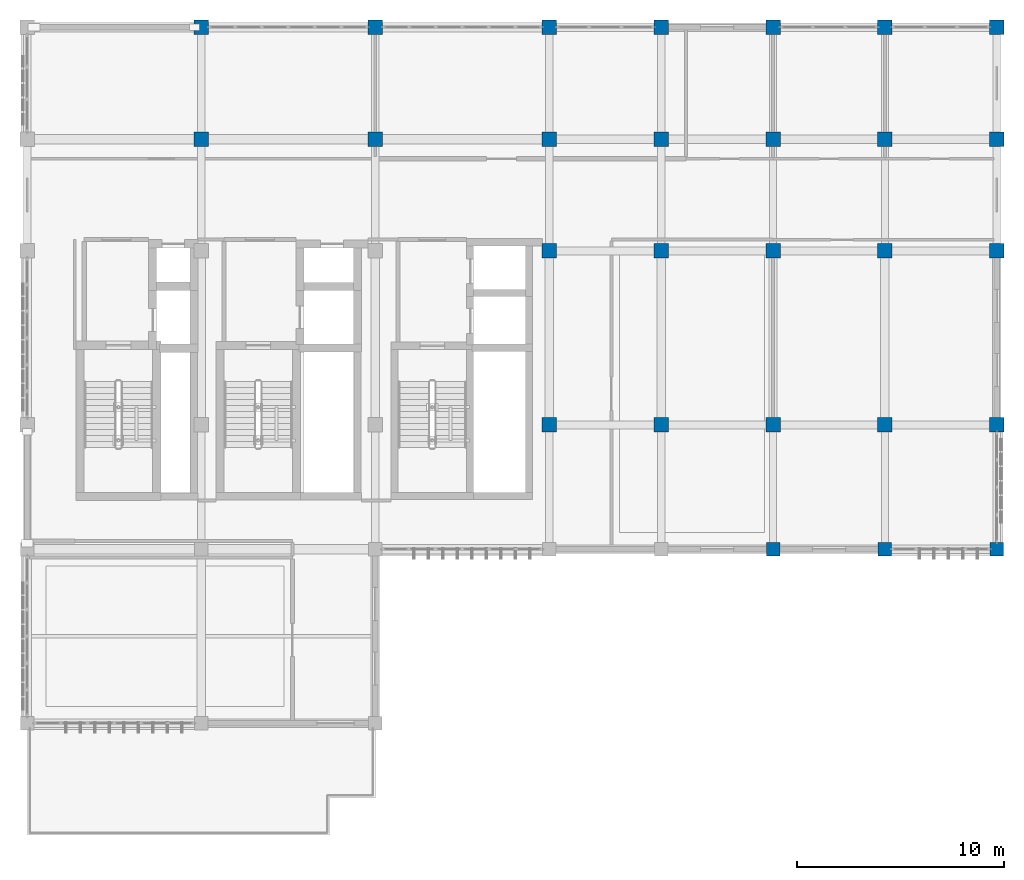
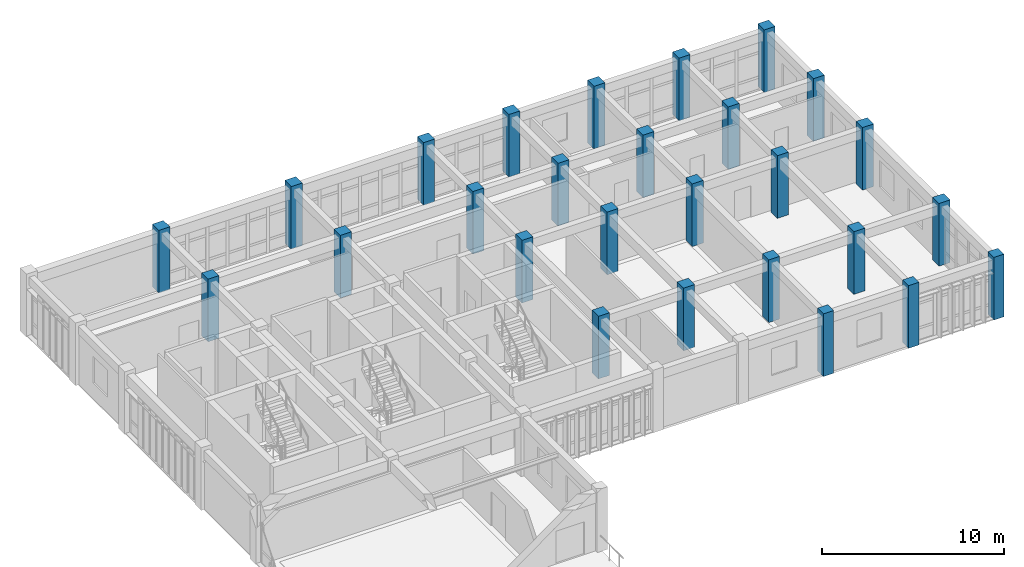
# One storey, part 3 of 23: 27 columns.
"""IFC4 building model written with IfcOpenShell, lengths in metres."""

from ifc_helpers import new_model, si_unit, direction, frame, origin, origin_2d, place, context, subcontext, project, spatial, rectangle, extrude, material, material_profile, profile_set, type_object, element, save


model = new_model("IFC4")

# Units and contexts
model_context = context("Model", 3, precision=1e-05, world=origin(), true_north=direction((0.0, 1.0)))
body_context = subcontext(model_context, "Body", "Model", "MODEL_VIEW")
ifc_project = project(units=[si_unit("LENGTHUNIT", "METRE"), si_unit("AREAUNIT", "SQUARE_METRE"), si_unit("VOLUMEUNIT", "CUBIC_METRE"), si_unit("PLANEANGLEUNIT", "RADIAN"), si_unit("MASSUNIT", "GRAM", prefix="KILO")], contexts=[model_context])

# Site, building, storey
site_placement = place(None, origin())
site = spatial("IfcSite", under=ifc_project, at=site_placement, CompositionType="ELEMENT")
building_placement = place(site_placement, origin())
building = spatial("IfcBuilding", under=site, at=building_placement, Name="Krzemoval Escarpment Law Courts", CompositionType="ELEMENT")
storey_placement = place(building_placement, frame((0.0, 0.0, 25.199951171875)))
storey = spatial("IfcBuildingStorey", under=building, at=storey_placement, Name="L05", CompositionType="ELEMENT", Elevation=25.199951171875)

# Columns
ifc_material_1 = material(Name="Concrete C40/50", Category="concrete")
ifc_material_profile_1 = material_profile(ifc_material_1, rectangle(XDim=0.64990234375, YDim=0.64990234375, at=origin_2d()), Name="RC 650x650")
ifc_profile_set_1 = profile_set([ifc_material_profile_1], Name="Concrete C40/50")
column_type_1 = type_object("IfcColumnType", Name="COL-RC-650", PredefinedType="COLUMN", material=ifc_profile_set_1)
for number, where, z_axis, x_axis, name in (
    (1, (162.0, 93.60009765625, 0.0), (0.0, 0.0, 1.0), (1.0, 0.0, 0.0), "Column FC-L05-1276"),
    (2, (167.39990234375, 93.60009765625, 0.0), (0.0, 0.0, 1.0), (1.0, 0.0, 0.0), "Column FC-L05-1281"),
    (3, (172.800048828125, 93.60009765625, 0.0), (0.0, 0.0, 1.0), (1.0, 0.0, 0.0), "Column FC-L05-1286"),
):
    element("IfcColumn", number, at=place(storey_placement, frame(where, z_axis=z_axis, x_axis=x_axis)), inside=storey, type_object=column_type_1, Name=name, PredefinedType="COLUMN", context=body_context, shape_type="SweptSolid", body=[
        extrude(rectangle(XDim=0.64990234375, YDim=0.64990234375, at=origin_2d()), origin(), (0.0, 0.0, 1.0), 4.199951171875),
    ])
ifc_material_2 = material(Name="Concrete C40/50", Category="concrete")
ifc_material_profile_2 = material_profile(ifc_material_2, rectangle(XDim=0.699951171875, YDim=0.699951171875, at=origin_2d()), Name="RC 700x700")
ifc_profile_set_2 = profile_set([ifc_material_profile_2], Name="Concrete C40/50")
column_type_2 = type_object("IfcColumnType", Name="COL-RC-700", PredefinedType="COLUMN", material=ifc_profile_set_2)
for number, where, z_axis, x_axis, name in (
    (4, (134.39990234375, 113.39990234375, 0.0), (0.0, 0.0, 1.0), (1.0, 0.0, 0.0), "Column FC-L05-1258"),
    (5, (134.39990234375, 118.800048828125, 0.0), (0.0, 0.0, 1.0), (1.0, 0.0, 0.0), "Column FC-L05-1259"),
    (6, (142.800048828125, 113.39990234375, 0.0), (0.0, 0.0, 1.0), (1.0, 0.0, 0.0), "Column FC-L05-1264"),
    (7, (142.800048828125, 118.800048828125, 0.0), (0.0, 0.0, 1.0), (1.0, 0.0, 0.0), "Column FC-L05-1265"),
    (8, (151.199951171875, 99.60009765625, 0.0), (0.0, 0.0, 1.0), (1.0, 0.0, 0.0), "Column FC-L05-1267"),
    (9, (151.199951171875, 108.0, 0.0), (0.0, 0.0, 1.0), (1.0, 0.0, 0.0), "Column FC-L05-1268"),
    (10, (151.199951171875, 113.39990234375, 0.0), (0.0, 0.0, 1.0), (1.0, 0.0, 0.0), "Column FC-L05-1269"),
    (11, (151.199951171875, 118.800048828125, 0.0), (0.0, 0.0, 1.0), (1.0, 0.0, 0.0), "Column FC-L05-1270"),
    (12, (156.60009765625, 99.60009765625, 0.0), (0.0, 0.0, 1.0), (1.0, 0.0, 0.0), "Column FC-L05-1272"),
    (13, (156.60009765625, 108.0, 0.0), (0.0, 0.0, 1.0), (1.0, 0.0, 0.0), "Column FC-L05-1273"),
    (14, (156.60009765625, 113.39990234375, 0.0), (0.0, 0.0, 1.0), (1.0, 0.0, 0.0), "Column FC-L05-1274"),
    (15, (156.60009765625, 118.800048828125, 0.0), (0.0, 0.0, 1.0), (1.0, 0.0, 0.0), "Column FC-L05-1275"),
    (16, (162.0, 99.60009765625, 0.0), (0.0, 0.0, 1.0), (1.0, 0.0, 0.0), "Column FC-L05-1277"),
    (17, (162.0, 108.0, 0.0), (0.0, 0.0, 1.0), (1.0, 0.0, 0.0), "Column FC-L05-1278"),
    (18, (162.0, 113.39990234375, 0.0), (0.0, 0.0, 1.0), (1.0, 0.0, 0.0), "Column FC-L05-1279"),
    (19, (162.0, 118.800048828125, 0.0), (0.0, 0.0, 1.0), (1.0, 0.0, 0.0), "Column FC-L05-1280"),
    (20, (167.39990234375, 99.60009765625, 0.0), (0.0, 0.0, 1.0), (1.0, 0.0, 0.0), "Column FC-L05-1282"),
    (21, (167.39990234375, 108.0, 0.0), (0.0, 0.0, 1.0), (1.0, 0.0, 0.0), "Column FC-L05-1283"),
    (22, (167.39990234375, 113.39990234375, 0.0), (0.0, 0.0, 1.0), (1.0, 0.0, 0.0), "Column FC-L05-1284"),
    (23, (167.39990234375, 118.800048828125, 0.0), (0.0, 0.0, 1.0), (1.0, 0.0, 0.0), "Column FC-L05-1285"),
    (24, (172.800048828125, 99.60009765625, 0.0), (0.0, 0.0, 1.0), (1.0, 0.0, 0.0), "Column FC-L05-1287"),
    (25, (172.800048828125, 108.0, 0.0), (0.0, 0.0, 1.0), (1.0, 0.0, 0.0), "Column FC-L05-1288"),
    (26, (172.800048828125, 113.39990234375, 0.0), (0.0, 0.0, 1.0), (1.0, 0.0, 0.0), "Column FC-L05-1289"),
    (27, (172.800048828125, 118.800048828125, 0.0), (0.0, 0.0, 1.0), (1.0, 0.0, 0.0), "Column FC-L05-1290"),
):
    element("IfcColumn", number, at=place(storey_placement, frame(where, z_axis=z_axis, x_axis=x_axis)), inside=storey, type_object=column_type_2, Name=name, PredefinedType="COLUMN", context=body_context, shape_type="SweptSolid", body=[
        extrude(rectangle(XDim=0.699951171875, YDim=0.699951171875, at=origin_2d()), origin(), (0.0, 0.0, 1.0), 4.199951171875),
    ])

save(model, "model.ifc")
